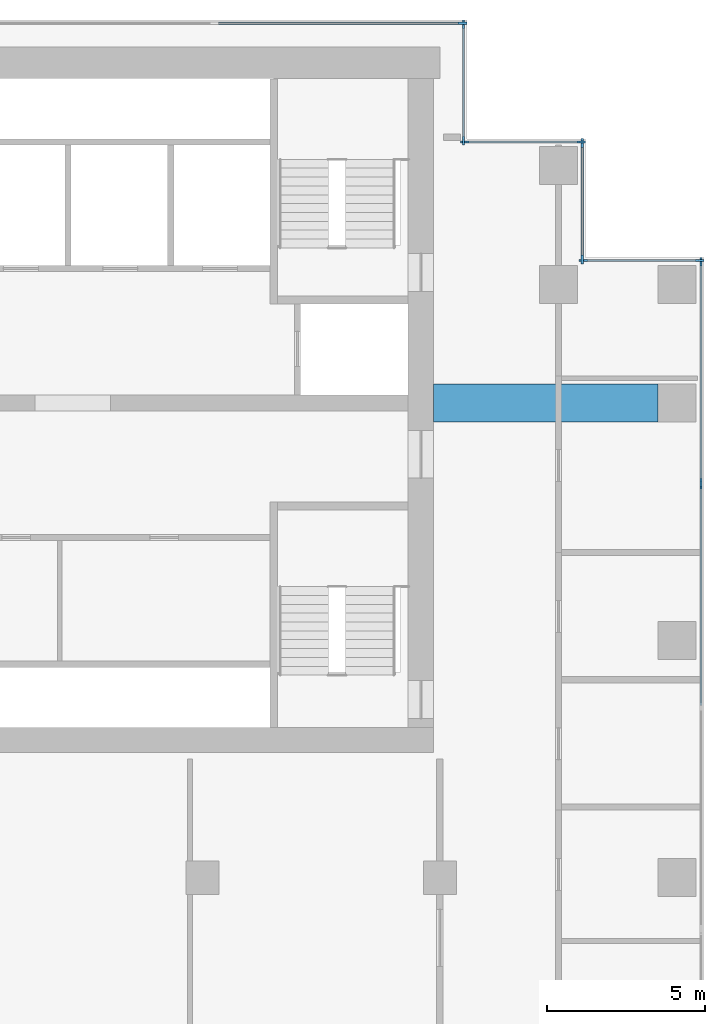
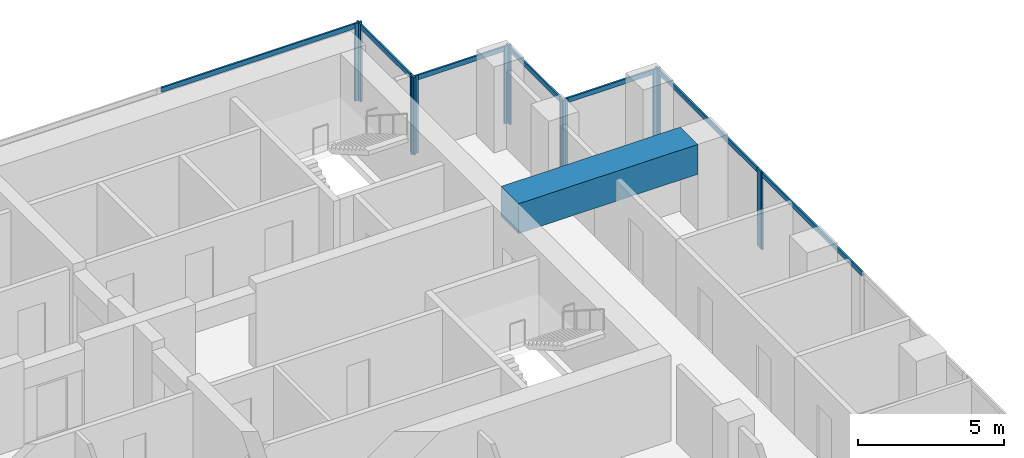
# One storey, part 5 of 10: 19 members, 1 beam, 7 elements without a shape of their own.
"""IFC4 building model written with IfcOpenShell, lengths in metres."""

from ifc_helpers import new_model, si_unit, direction, frame, origin, origin_2d, place, context, subcontext, project, spatial, rectangle, extrude, material, material_profile, profile_set, type_object, element, aggregate, save


model = new_model("IFC4")

# Units and contexts
model_context = context("Model", 3, precision=1e-05, world=origin(), true_north=direction((0.0, 1.0)))
body_context = subcontext(model_context, "Body", "Model", "MODEL_VIEW")
ifc_project = project(units=[si_unit("LENGTHUNIT", "METRE"), si_unit("AREAUNIT", "SQUARE_METRE"), si_unit("VOLUMEUNIT", "CUBIC_METRE"), si_unit("PLANEANGLEUNIT", "RADIAN"), si_unit("MASSUNIT", "GRAM", prefix="KILO")], contexts=[model_context])

# Site, building, storey
site_placement = place(None, origin())
site = spatial("IfcSite", under=ifc_project, at=site_placement, CompositionType="ELEMENT")
building_placement = place(site_placement, origin())
building = spatial("IfcBuilding", under=site, at=building_placement, Name="Pilkhan Gate Tower", CompositionType="ELEMENT")
storey_placement = place(building_placement, frame((0.0, 0.0, 180.10009765625)))
storey = spatial("IfcBuildingStorey", under=building, at=storey_placement, Name="L46", CompositionType="ELEMENT", Elevation=180.10009765625)

# Curtain wall, member
ifc_material_1 = material(Name="Pale anodised aluminium, clear low-iron double glazing", Category="aluminium")
curtain_wall_type = type_object("IfcCurtainWallType", Name="Office unitised curtain wall CW-O1", PredefinedType="USERDEFINED", material=ifc_material_1)
curtain_wall_1_placement = place(storey_placement, origin())
curtain_wall_1 = element("IfcCurtainWall", 1, at=curtain_wall_1_placement, inside=storey, type_object=curtain_wall_type, Name="Office unitised curtain wall CW-O1 L46 E", ObjectType="UNITISED CURTAIN WALL", PredefinedType="USERDEFINED")
ifc_material_2 = material(Name="Pale anodised aluminium", Category="aluminium")
ifc_material_profile_1 = material_profile(ifc_material_2, rectangle(XDim=0.070068359375, YDim=0.27490234375, at=origin_2d()), Name="Mullion 275x70")
ifc_profile_set_1 = profile_set([ifc_material_profile_1], Name="Pale anodised aluminium")
member_type_1 = type_object("IfcMemberType", Name="Mullion CW-O1 275x70", PredefinedType="MULLION", material=ifc_profile_set_1)
member_1_placement = place(storey_placement, frame((98.25, 79.9150390625, 0.0), z_axis=(0.0, 0.0, 1.0), x_axis=(-1.0, 0.0, 0.0)))
member_1 = element("IfcMember", 2, at=member_1_placement, type_object=member_type_1, Name="CW-O1 mullion 3", PredefinedType="MULLION", context=body_context, shape_type="SweptSolid", body=[
    extrude(rectangle(XDim=0.070068359375, YDim=0.27490234375, at=origin_2d()), origin(), (0.0, 0.0, 1.0), 3.25),
])

# Curtain wall, members
curtain_wall_2_placement = place(storey_placement, origin())
curtain_wall_2 = element("IfcCurtainWall", 3, at=curtain_wall_2_placement, inside=storey, type_object=curtain_wall_type, Name="Office unitised curtain wall CW-O1 L46 E", ObjectType="UNITISED CURTAIN WALL", PredefinedType="USERDEFINED")
member_2_placement = place(storey_placement, frame((98.25, 79.985107421875, 0.0), z_axis=(0.0, 0.0, 1.0), x_axis=(-1.0, 0.0, 0.0)))
member_2 = element("IfcMember", 4, at=member_2_placement, type_object=member_type_1, Name="CW-O1 mullion 1", PredefinedType="MULLION", context=body_context, shape_type="SweptSolid", body=[
    extrude(rectangle(XDim=0.070068359375, YDim=0.27490234375, at=origin_2d()), origin(), (0.0, 0.0, 1.0), 3.25),
])
member_3_placement = place(storey_placement, frame((98.25, 86.965087890625, 0.0), z_axis=(0.0, 0.0, 1.0), x_axis=(-1.0, 0.0, 0.0)))
member_3 = element("IfcMember", 5, at=member_3_placement, type_object=member_type_1, Name="CW-O1 mullion 2", PredefinedType="MULLION", context=body_context, shape_type="SweptSolid", body=[
    extrude(rectangle(XDim=0.070068359375, YDim=0.27490234375, at=origin_2d()), origin(), (0.0, 0.0, 1.0), 3.25),
])

curtain_wall_3_placement = place(storey_placement, origin())
curtain_wall_3 = element("IfcCurtainWall", 6, at=curtain_wall_3_placement, inside=storey, type_object=curtain_wall_type, Name="Office unitised curtain wall CW-O1 L46 N", ObjectType="UNITISED CURTAIN WALL", PredefinedType="USERDEFINED")
member_4_placement = place(storey_placement, frame((94.534912109375, 87.0, 0.0), z_axis=(0.0, 0.0, 1.0), x_axis=(0.0, 1.0, 0.0)))
member_4 = element("IfcMember", 7, at=member_4_placement, type_object=member_type_1, Name="CW-O1 mullion 1", PredefinedType="MULLION", context=body_context, shape_type="SweptSolid", body=[
    extrude(rectangle(XDim=0.070068359375, YDim=0.27490234375, at=origin_2d()), origin(), (0.0, 0.0, 1.0), 3.25),
])
member_5_placement = place(storey_placement, frame((98.215087890625, 87.0, 0.0), z_axis=(0.0, 0.0, 1.0), x_axis=(0.0, 1.0, 0.0)))
member_5 = element("IfcMember", 8, at=member_5_placement, type_object=member_type_1, Name="CW-O1 mullion 2", PredefinedType="MULLION", context=body_context, shape_type="SweptSolid", body=[
    extrude(rectangle(XDim=0.070068359375, YDim=0.27490234375, at=origin_2d()), origin(), (0.0, 0.0, 1.0), 3.25),
])

curtain_wall_4_placement = place(storey_placement, origin())
curtain_wall_4 = element("IfcCurtainWall", 9, at=curtain_wall_4_placement, inside=storey, type_object=curtain_wall_type, Name="Office unitised curtain wall CW-O1 L46 E", ObjectType="UNITISED CURTAIN WALL", PredefinedType="USERDEFINED")
member_6_placement = place(storey_placement, frame((94.5, 87.034912109375, 0.0), z_axis=(0.0, 0.0, 1.0), x_axis=(-1.0, 0.0, 0.0)))
member_6 = element("IfcMember", 10, at=member_6_placement, type_object=member_type_1, Name="CW-O1 mullion 1", PredefinedType="MULLION", context=body_context, shape_type="SweptSolid", body=[
    extrude(rectangle(XDim=0.070068359375, YDim=0.27490234375, at=origin_2d()), origin(), (0.0, 0.0, 1.0), 3.25),
])
member_7_placement = place(storey_placement, frame((94.5, 90.715087890625, 0.0), z_axis=(0.0, 0.0, 1.0), x_axis=(-1.0, 0.0, 0.0)))
member_7 = element("IfcMember", 11, at=member_7_placement, type_object=member_type_1, Name="CW-O1 mullion 2", PredefinedType="MULLION", context=body_context, shape_type="SweptSolid", body=[
    extrude(rectangle(XDim=0.070068359375, YDim=0.27490234375, at=origin_2d()), origin(), (0.0, 0.0, 1.0), 3.25),
])

curtain_wall_5_placement = place(storey_placement, origin())
curtain_wall_5 = element("IfcCurtainWall", 12, at=curtain_wall_5_placement, inside=storey, type_object=curtain_wall_type, Name="Office unitised curtain wall CW-O1 L46 N", ObjectType="UNITISED CURTAIN WALL", PredefinedType="USERDEFINED")
member_8_placement = place(storey_placement, frame((90.784912109375, 90.75, 0.0), z_axis=(0.0, 0.0, 1.0), x_axis=(0.0, 1.0, 0.0)))
member_8 = element("IfcMember", 13, at=member_8_placement, type_object=member_type_1, Name="CW-O1 mullion 1", PredefinedType="MULLION", context=body_context, shape_type="SweptSolid", body=[
    extrude(rectangle(XDim=0.070068359375, YDim=0.27490234375, at=origin_2d()), origin(), (0.0, 0.0, 1.0), 3.25),
])
member_9_placement = place(storey_placement, frame((94.465087890625, 90.75, 0.0), z_axis=(0.0, 0.0, 1.0), x_axis=(0.0, 1.0, 0.0)))
member_9 = element("IfcMember", 14, at=member_9_placement, type_object=member_type_1, Name="CW-O1 mullion 2", PredefinedType="MULLION", context=body_context, shape_type="SweptSolid", body=[
    extrude(rectangle(XDim=0.070068359375, YDim=0.27490234375, at=origin_2d()), origin(), (0.0, 0.0, 1.0), 3.25),
])

curtain_wall_6_placement = place(storey_placement, origin())
curtain_wall_6 = element("IfcCurtainWall", 15, at=curtain_wall_6_placement, inside=storey, type_object=curtain_wall_type, Name="Office unitised curtain wall CW-O1 L46 E", ObjectType="UNITISED CURTAIN WALL", PredefinedType="USERDEFINED")
member_10_placement = place(storey_placement, frame((90.75, 90.784912109375, 0.0), z_axis=(0.0, 0.0, 1.0), x_axis=(-1.0, 0.0, 0.0)))
member_10 = element("IfcMember", 16, at=member_10_placement, type_object=member_type_1, Name="CW-O1 mullion 1", PredefinedType="MULLION", context=body_context, shape_type="SweptSolid", body=[
    extrude(rectangle(XDim=0.070068359375, YDim=0.27490234375, at=origin_2d()), origin(), (0.0, 0.0, 1.0), 3.25),
])
member_11_placement = place(storey_placement, frame((90.75, 94.465087890625, 0.0), z_axis=(0.0, 0.0, 1.0), x_axis=(-1.0, 0.0, 0.0)))
member_11 = element("IfcMember", 17, at=member_11_placement, type_object=member_type_1, Name="CW-O1 mullion 2", PredefinedType="MULLION", context=body_context, shape_type="SweptSolid", body=[
    extrude(rectangle(XDim=0.070068359375, YDim=0.27490234375, at=origin_2d()), origin(), (0.0, 0.0, 1.0), 3.25),
])

# Curtain wall, member
curtain_wall_7_placement = place(storey_placement, origin())
curtain_wall_7 = element("IfcCurtainWall", 18, at=curtain_wall_7_placement, inside=storey, type_object=curtain_wall_type, Name="Office unitised curtain wall CW-O1 L46 N", ObjectType="UNITISED CURTAIN WALL", PredefinedType="USERDEFINED")
member_12_placement = place(storey_placement, frame((90.715087890625, 94.5, 0.0), z_axis=(0.0, 0.0, 1.0), x_axis=(0.0, 1.0, 0.0)))
member_12 = element("IfcMember", 19, at=member_12_placement, type_object=member_type_1, Name="CW-O1 mullion 3", PredefinedType="MULLION", context=body_context, shape_type="SweptSolid", body=[
    extrude(rectangle(XDim=0.070068359375, YDim=0.27490234375, at=origin_2d()), origin(), (0.0, 0.0, 1.0), 3.25),
])

# Beam
ifc_material_3 = material(Name="Concrete C60/75", Category="concrete")
ifc_material_profile_2 = material_profile(ifc_material_3, rectangle(XDim=1.199951171875, YDim=1.25, at=origin_2d()), Name="RC 1200x1250")
ifc_profile_set_2 = profile_set([ifc_material_profile_2], Name="Concrete C60/75")
beam_type = type_object("IfcBeamType", Name="Outrigger support beam OB3 RC 1200x1250 C60/75", PredefinedType="BEAM", material=ifc_profile_set_2)
beam_placement = place(storey_placement, frame((89.800048828125, 82.5, 2.974853515625), z_axis=(1.0, 0.0, 0.0), x_axis=(0.0, 1.0, 0.0)))
element("IfcBeam", 20, at=beam_placement, inside=storey, type_object=beam_type, Name="Outrigger support beam 1 L47", PredefinedType="BEAM", context=body_context, shape_type="SweptSolid", body=[
    extrude(rectangle(XDim=1.199951171875, YDim=1.25, at=origin_2d()), origin(), (0.0, 0.0, 1.0), 7.099853515625),
])

# Member
ifc_material_profile_3 = material_profile(ifc_material_2, rectangle(XDim=0.070068359375, YDim=0.199951171875, at=origin_2d()), Name="Transom 200x70")
ifc_profile_set_3 = profile_set([ifc_material_profile_3], Name="Pale anodised aluminium")
member_type_2 = type_object("IfcMemberType", Name="Transom CW-O1 200x70", PredefinedType="USERDEFINED", material=ifc_profile_set_3)
member_13_placement = place(storey_placement, frame((98.25, 72.93505859375, 3.14990234375), z_axis=(0.0, 1.0, 0.0), x_axis=(-1.0, 0.0, 0.0)))
member_13 = element("IfcMember", 21, at=member_13_placement, type_object=member_type_2, Name="CW-O1 transom 2", ObjectType="TRANSOM", PredefinedType="USERDEFINED", context=body_context, shape_type="SweptSolid", body=[
    extrude(rectangle(XDim=0.070068359375, YDim=0.199951171875, at=origin_2d()), origin(), (0.0, 0.0, 1.0), 6.94482421875),
])

aggregate(curtain_wall_1, [member_1, member_13])

member_14_placement = place(storey_placement, frame((98.25, 80.02001953125, 3.14990234375), z_axis=(0.0, 1.0, 0.0), x_axis=(-1.0, 0.0, 0.0)))
member_14 = element("IfcMember", 22, at=member_14_placement, type_object=member_type_2, Name="CW-O1 transom 1", ObjectType="TRANSOM", PredefinedType="USERDEFINED", context=body_context, shape_type="SweptSolid", body=[
    extrude(rectangle(XDim=0.070068359375, YDim=0.199951171875, at=origin_2d()), origin(), (0.0, 0.0, 1.0), 6.909912109375),
])

aggregate(curtain_wall_2, [member_2, member_3, member_14])

member_15_placement = place(storey_placement, frame((94.570068359375, 87.0, 3.14990234375), z_axis=(1.0, 0.0, 0.0), x_axis=(0.0, 1.0, 0.0)))
member_15 = element("IfcMember", 23, at=member_15_placement, type_object=member_type_2, Name="CW-O1 transom 1", ObjectType="TRANSOM", PredefinedType="USERDEFINED", context=body_context, shape_type="SweptSolid", body=[
    extrude(rectangle(XDim=0.070068359375, YDim=0.199951171875, at=origin_2d()), origin(), (0.0, 0.0, 1.0), 3.60986328125),
])

aggregate(curtain_wall_3, [member_4, member_5, member_15])

member_16_placement = place(storey_placement, frame((94.5, 87.070068359375, 3.14990234375), z_axis=(0.0, 1.0, 0.0), x_axis=(-1.0, 0.0, 0.0)))
member_16 = element("IfcMember", 24, at=member_16_placement, type_object=member_type_2, Name="CW-O1 transom 1", ObjectType="TRANSOM", PredefinedType="USERDEFINED", context=body_context, shape_type="SweptSolid", body=[
    extrude(rectangle(XDim=0.070068359375, YDim=0.199951171875, at=origin_2d()), origin(), (0.0, 0.0, 1.0), 3.60986328125),
])

aggregate(curtain_wall_4, [member_6, member_7, member_16])

member_17_placement = place(storey_placement, frame((90.820068359375, 90.75, 3.14990234375), z_axis=(1.0, 0.0, 0.0), x_axis=(0.0, 1.0, 0.0)))
member_17 = element("IfcMember", 25, at=member_17_placement, type_object=member_type_2, Name="CW-O1 transom 1", ObjectType="TRANSOM", PredefinedType="USERDEFINED", context=body_context, shape_type="SweptSolid", body=[
    extrude(rectangle(XDim=0.070068359375, YDim=0.199951171875, at=origin_2d()), origin(), (0.0, 0.0, 1.0), 3.60986328125),
])

aggregate(curtain_wall_5, [member_8, member_9, member_17])

member_18_placement = place(storey_placement, frame((90.75, 90.820068359375, 3.14990234375), z_axis=(0.0, 1.0, 0.0), x_axis=(-1.0, 0.0, 0.0)))
member_18 = element("IfcMember", 26, at=member_18_placement, type_object=member_type_2, Name="CW-O1 transom 1", ObjectType="TRANSOM", PredefinedType="USERDEFINED", context=body_context, shape_type="SweptSolid", body=[
    extrude(rectangle(XDim=0.070068359375, YDim=0.199951171875, at=origin_2d()), origin(), (0.0, 0.0, 1.0), 3.60986328125),
])

aggregate(curtain_wall_6, [member_10, member_11, member_18])

member_19_placement = place(storey_placement, frame((82.909912109375, 94.5, 3.14990234375), z_axis=(1.0, 0.0, 0.0), x_axis=(0.0, 1.0, 0.0)))
member_19 = element("IfcMember", 27, at=member_19_placement, type_object=member_type_2, Name="CW-O1 transom 2", ObjectType="TRANSOM", PredefinedType="USERDEFINED", context=body_context, shape_type="SweptSolid", body=[
    extrude(rectangle(XDim=0.070068359375, YDim=0.199951171875, at=origin_2d()), origin(), (0.0, 0.0, 1.0), 7.77001953125),
])

aggregate(curtain_wall_7, [member_12, member_19])

save(model, "model.ifc")
